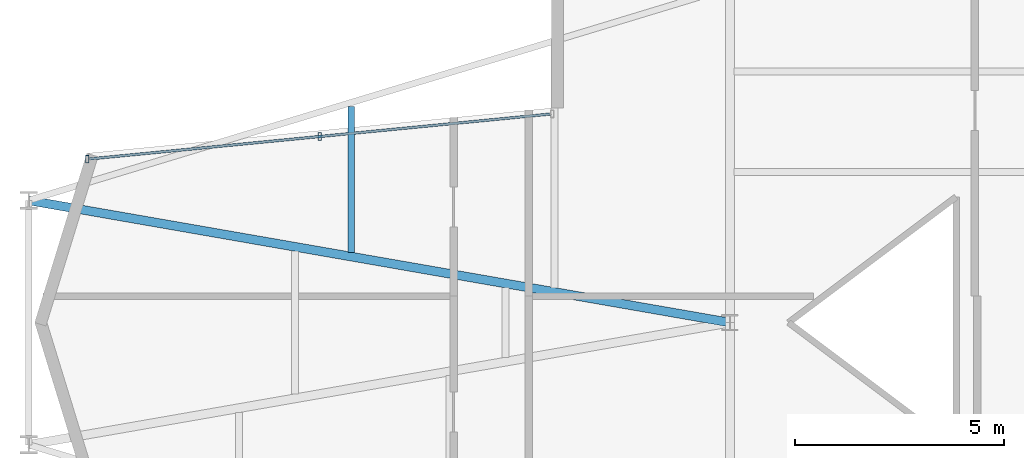
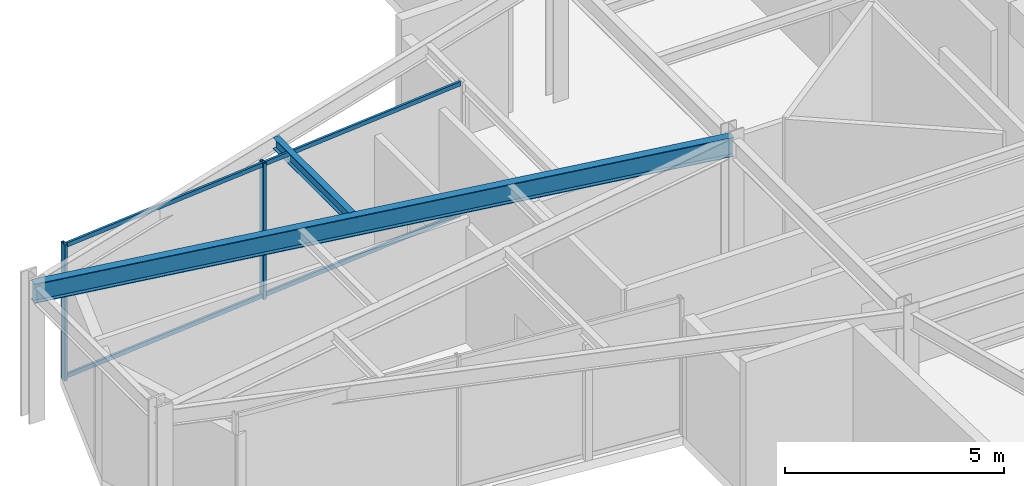
# One storey, part 8 of 21: 4 members, 2 beams, 1 element without a shape of its own.
"""IFC4 building model written with IfcOpenShell, lengths in metres."""

from ifc_helpers import new_model, si_unit, direction, frame, origin, origin_2d, place, context, subcontext, project, spatial, hollow_rectangle, i_section, extrude, material, layer, layer_set, material_profile, profile_set, type_object, element, aggregate, save


model = new_model("IFC4")

# Units and contexts
model_context = context("Model", 3, precision=1e-05, world=origin(), true_north=direction((0.0, 1.0)))
body_context = subcontext(model_context, "Body", "Model", "MODEL_VIEW")
ifc_project = project(units=[si_unit("LENGTHUNIT", "METRE"), si_unit("AREAUNIT", "SQUARE_METRE"), si_unit("VOLUMEUNIT", "CUBIC_METRE"), si_unit("PLANEANGLEUNIT", "RADIAN"), si_unit("MASSUNIT", "GRAM", prefix="KILO")], contexts=[model_context])

# Site, building, storey
site_placement = place(None, origin())
site = spatial("IfcSite", under=ifc_project, at=site_placement, CompositionType="ELEMENT")
building_placement = place(site_placement, origin())
building = spatial("IfcBuilding", under=site, at=building_placement, Name="Veymaron Broadcast Tower", CompositionType="ELEMENT")
storey_placement = place(building_placement, frame((0.0, 0.0, 244.5)))
storey = spatial("IfcBuildingStorey", under=building, at=storey_placement, Name="L57", CompositionType="ELEMENT", Elevation=244.5)

# Beams
ifc_material_1 = material(Name="Structural steel ASTM A992 Gr 50", Category="steel")
ifc_material_profile_1 = material_profile(ifc_material_1, i_section(OverallWidth=0.2099609375, OverallDepth=0.537109375, WebThickness=0.010986328125, FlangeThickness=0.017333984375, at=origin_2d()), Name="W530X101")
ifc_profile_set_1 = profile_set([ifc_material_profile_1], Name="Structural steel ASTM A992 Gr 50")
beam_type_1 = type_object("IfcBeamType", Name="BM-FG3", PredefinedType="BEAM", material=ifc_profile_set_1)
beam_1_placement = place(storey_placement, frame((14.45166015625, 26.91796875, 3.521484375), z_axis=(0.985159853001, -0.171639342911, 0.0), x_axis=(0.171639342911, 0.985159853001, 0.0)))
element("IfcBeam", 1, at=beam_1_placement, inside=storey, type_object=beam_type_1, Name="L57 primary structural floor girder", PredefinedType="BEAM", context=body_context, shape_type="SweptSolid", body=[
    extrude(i_section(OverallWidth=0.2099609375, OverallDepth=0.537109375, WebThickness=0.010986328125, FlangeThickness=0.017333984375, at=origin_2d()), origin(), (0.0, 0.0, 1.0), 17.00048828125),
])
ifc_material_profile_2 = material_profile(ifc_material_1, i_section(OverallWidth=0.1650390625, OverallDepth=0.31005859375, WebThickness=0.005859375, FlangeThickness=0.009765625, at=origin_2d()), Name="W310X39")
ifc_profile_set_2 = profile_set([ifc_material_profile_2], Name="Structural steel ASTM A992 Gr 50")
beam_type_2 = type_object("IfcBeamType", Name="BM-JS3", PredefinedType="JOIST", material=ifc_profile_set_2)
beam_2_placement = place(storey_placement, frame((22.156005859375, 25.67578125, 3.635009765625), z_axis=(0.0, 1.0, 0.0), x_axis=(-1.0, 0.0, 0.0)))
element("IfcBeam", 2, at=beam_2_placement, inside=storey, type_object=beam_type_2, Name="L57 Arm-A secondary joist 1N", PredefinedType="JOIST", context=body_context, shape_type="SweptSolid", body=[
    extrude(i_section(OverallWidth=0.1650390625, OverallDepth=0.31005859375, WebThickness=0.005859375, FlangeThickness=0.009765625, at=origin_2d()), origin(), (0.0, 0.0, 1.0), 3.47998046875),
])

# Curtain wall, members
ifc_material_2 = material(Name="Anodised aluminium AA 6063-T6 and laminated low-E dark glass", Category="aluminium")
ifc_layer = layer(ifc_material_2, 0.179931640625)
ifc_layer_set = layer_set([ifc_layer], Name="Anodised aluminium AA 6063-T6 and laminated low-E dark glass")
curtain_wall_type = type_object("IfcCurtainWallType", Name="CW-SYS-05", PredefinedType="NOTDEFINED", material=ifc_layer_set)
curtain_wall_placement = place(storey_placement, origin())
curtain_wall = element("IfcCurtainWall", 3, at=curtain_wall_placement, inside=storey, type_object=curtain_wall_type, Name="L57 dark-glass curtain wall CW-L57-E11-1", PredefinedType="NOTDEFINED")
ifc_material_3 = material(Name="Anodised aluminium AA 6063-T6", Category="aluminium")
ifc_material_profile_3 = material_profile(ifc_material_3, hollow_rectangle(XDim=0.074951171875, YDim=0.179931640625, WallThickness=0.0048828125, at=origin_2d()), Name="AL180X75X5")
ifc_profile_set_3 = profile_set([ifc_material_profile_3], Name="Anodised aluminium AA 6063-T6")
member_type_1 = type_object("IfcMemberType", Name="CW-MUL-02", PredefinedType="MULLION", material=ifc_profile_set_3)
member_1_placement = place(storey_placement, frame((21.40478515625, 28.443603515625, 0.0), z_axis=(0.0, 0.0, 1.0), x_axis=(1.0, 0.0, 0.0)))
member_1 = element("IfcMember", 4, at=member_1_placement, type_object=member_type_1, Name="CW-L57-E11-1 mullion 1", PredefinedType="MULLION", context=body_context, shape_type="SweptSolid", body=[
    extrude(hollow_rectangle(XDim=0.074951171875, YDim=0.179931640625, WallThickness=0.0048828125, at=origin_2d()), origin(), (0.0, 0.0, 1.0), 3.7900390625),
])
member_2_placement = place(storey_placement, frame((15.853515625, 27.902587890625, 0.0), z_axis=(0.0, 0.0, 1.0), x_axis=(1.0, 0.0, 0.0)))
member_2 = element("IfcMember", 5, at=member_2_placement, type_object=member_type_1, Name="CW-L57-E11-1 mullion 2", PredefinedType="MULLION", context=body_context, shape_type="SweptSolid", body=[
    extrude(hollow_rectangle(XDim=0.074951171875, YDim=0.179931640625, WallThickness=0.0048828125, at=origin_2d()), origin(), (0.0, 0.0, 1.0), 3.7900390625),
])
ifc_material_profile_4 = material_profile(ifc_material_3, hollow_rectangle(XDim=0.06005859375, YDim=0.1201171875, WallThickness=0.00390625, at=origin_2d()), Name="AL120X60X4")
ifc_profile_set_4 = profile_set([ifc_material_profile_4], Name="Anodised aluminium AA 6063-T6")
member_type_2 = type_object("IfcMemberType", Name="CW-TRN-02", PredefinedType="USERDEFINED", material=ifc_profile_set_4)
member_3_placement = place(storey_placement, frame((26.90625, 28.9794921875, 0.070068359375), z_axis=(-0.995287170753, -0.096971375849, 0.0), x_axis=(0.096971375849, -0.995287170753, 0.0)))
member_3 = element("IfcMember", 6, at=member_3_placement, type_object=member_type_2, Name="CW-L57-E11-1 transom B", ObjectType="TRANSOM", PredefinedType="USERDEFINED", context=body_context, shape_type="SweptSolid", body=[
    extrude(hollow_rectangle(XDim=0.06005859375, YDim=0.1201171875, WallThickness=0.00390625, at=origin_2d()), origin(), (0.0, 0.0, 1.0), 11.054931640625),
])
member_4_placement = place(storey_placement, frame((26.90625, 28.9794921875, 3.719970703125), z_axis=(-0.995287170753, -0.096971375849, 0.0), x_axis=(0.096971375849, -0.995287170753, 0.0)))
member_4 = element("IfcMember", 7, at=member_4_placement, type_object=member_type_2, Name="CW-L57-E11-1 transom T", ObjectType="TRANSOM", PredefinedType="USERDEFINED", context=body_context, shape_type="SweptSolid", body=[
    extrude(hollow_rectangle(XDim=0.06005859375, YDim=0.1201171875, WallThickness=0.00390625, at=origin_2d()), origin(), (0.0, 0.0, 1.0), 11.054931640625),
])
aggregate(curtain_wall, [member_1, member_2, member_3, member_4])

save(model, "model.ifc")
